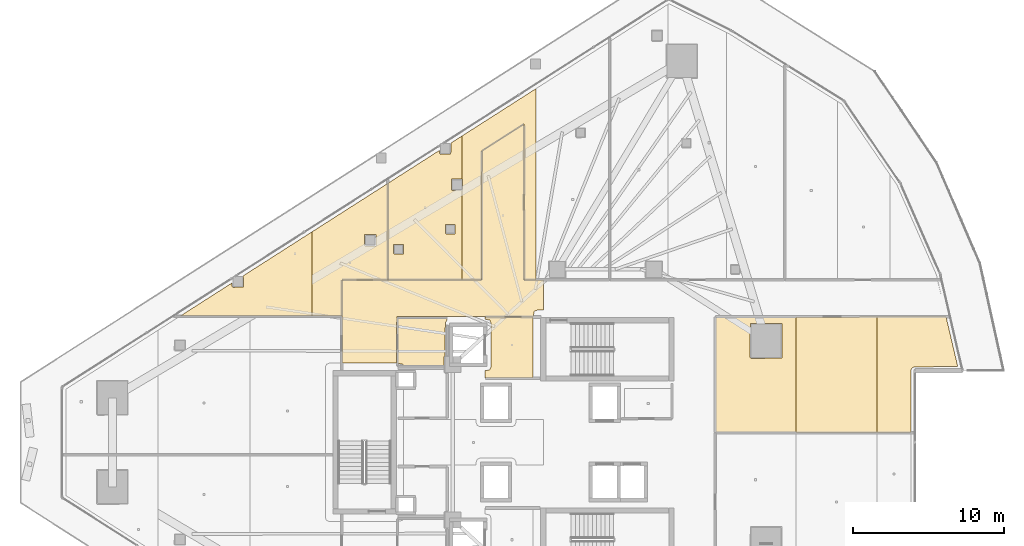
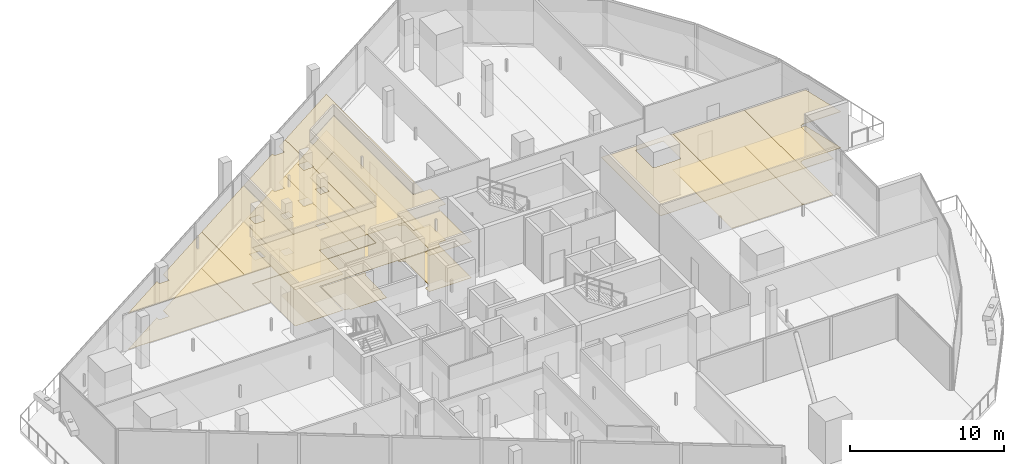
# One storey, part 36 of 38: 18 coverings.
"""IFC4 building model written with IfcOpenShell, lengths in metres."""

from ifc_helpers import new_model, si_unit, direction, frame, origin, place, context, subcontext, project, spatial, polyline, outline, extrude, material, layer, layer_set, type_object, element, save


model = new_model("IFC4")

# Units and contexts
model_context = context("Model", 3, precision=1e-05, world=origin(), true_north=direction((0.0, 1.0)))
body_context = subcontext(model_context, "Body", "Model", "MODEL_VIEW")
ifc_project = project(units=[si_unit("LENGTHUNIT", "METRE"), si_unit("AREAUNIT", "SQUARE_METRE"), si_unit("VOLUMEUNIT", "CUBIC_METRE"), si_unit("PLANEANGLEUNIT", "RADIAN"), si_unit("MASSUNIT", "GRAM", prefix="KILO")], contexts=[model_context])

# Site, building, storey
site_placement = place(None, origin())
site = spatial("IfcSite", under=ifc_project, at=site_placement, CompositionType="ELEMENT")
building_placement = place(site_placement, origin())
building = spatial("IfcBuilding", under=site, at=building_placement, Name="Qorvath Tower", CompositionType="ELEMENT")
storey_placement = place(building_placement, frame((0.0, 0.0, 158.39990234375)))
storey = spatial("IfcBuildingStorey", under=building, at=storey_placement, Name="L36", CompositionType="ELEMENT", Elevation=158.39990234375)

# Coverings
ifc_material_1 = material(Name="Acoustic mineral fibre ceiling tile", Category="gypsum")
ifc_layer_1 = layer(ifc_material_1, 0.030029296875)
ifc_layer_set_1 = layer_set([ifc_layer_1], Name="COV-CEIL")
covering_type_1 = type_object("IfcCoveringType", Name="COV-CEIL", PredefinedType="CEILING", material=ifc_layer_set_1)
covering_1_placement = place(storey_placement, frame((0.0, 0.0, 2.85009765625)))
element("IfcCovering", 1, at=covering_1_placement, inside=storey, type_object=covering_type_1, Name="L36 Suspended Acoustic Ceiling 001", PredefinedType="CEILING", context=body_context, shape_type="SweptSolid", body=[
    extrude(outline(polyline([(-25.18994140625, 4.2548828125), (-25.18994140625, 8.294921875), (-28.375, 8.294921875), (-28.375, 8.159912109375), (-28.063232421875, 8.086669921875), (-27.989990234375, 7.909912109375), (-27.989990234375, 4.989990234375), (-28.063232421875, 4.813232421875), (-28.375, 4.739990234375), (-28.375, 4.2548828125), (-25.18994140625, 4.2548828125)])), origin(), (0.0, 0.0, 1.0), 0.030029296875),
])
covering_2_placement = place(storey_placement, frame((0.0, 0.0, 2.85009765625)))
element("IfcCovering", 2, at=covering_2_placement, inside=storey, type_object=covering_type_1, Name="L36 Suspended Acoustic Ceiling 008", PredefinedType="CEILING", context=body_context, shape_type="SweptSolid", body=[
    extrude(outline(polyline([(-24.521484375, 8.75), (-24.521484375, 10.7451171875), (-25.800048828125, 10.7451171875), (-25.804931640625, 21.067626953125), (-28.594970703125, 19.284423828125), (-28.596435546875, 10.74658203125), (-37.844970703125, 10.7451171875), (-37.844970703125, 5.239990234375), (-34.2509765625, 5.239990234375), (-34.219970703125, 8.324951171875), (-25.18994140625, 8.324951171875), (-25.11669921875, 8.6767578125), (-24.93994140625, 8.75), (-24.521484375, 8.75)])), origin(), (0.0, 0.0, 1.0), 0.030029296875),
])
covering_3_placement = place(storey_placement, frame((0.0, 0.0, 2.85009765625)))
element("IfcCovering", 3, at=covering_3_placement, inside=storey, type_object=covering_type_1, Name="L36 Suspended Acoustic Ceiling 011", PredefinedType="CEILING", context=body_context, shape_type="SweptSolid", body=[
    extrude(outline(polyline([(-39.827880859375, 8.35498046875), (-39.827880859375, 13.944580078125), (-44.390380859375, 11.028564453125), (-44.368896484375, 10.284912109375), (-45.061279296875, 10.267333984375), (-45.121337890625, 10.327392578125), (-45.121337890625, 10.5615234375), (-48.57373046875, 8.35498046875), (-39.827880859375, 8.35498046875)])), origin(), (0.0, 0.0, 1.0), 0.030029296875),
])
covering_4_placement = place(storey_placement, frame((0.0, 0.0, 2.85009765625)))
element("IfcCovering", 4, at=covering_4_placement, inside=storey, type_object=covering_type_1, Name="L36 Suspended Acoustic Ceiling 012", PredefinedType="CEILING", context=body_context, shape_type="SweptSolid", body=[
    extrude(outline(polyline([(-34.814208984375, 10.762939453125), (-34.814208984375, 17.14892578125), (-39.827880859375, 13.944580078125), (-39.827880859375, 8.35498046875), (-37.863037109375, 8.35498046875), (-37.861572265625, 10.761474609375), (-34.814208984375, 10.762939453125)]), holes=[polyline([(-36.36572265625, 13.055908203125), (-36.34814453125, 13.748291015625), (-35.61328125, 13.748291015625), (-35.61328125, 13.013427734375), (-36.3056640625, 12.995849609375), (-36.36572265625, 13.055908203125)])]), origin(), (0.0, 0.0, 1.0), 0.030029296875),
])
covering_5_placement = place(storey_placement, frame((0.0, 0.0, 2.85009765625)))
element("IfcCovering", 5, at=covering_5_placement, inside=storey, type_object=covering_type_1, Name="L36 Suspended Acoustic Ceiling 013", PredefinedType="CEILING", context=body_context, shape_type="SweptSolid", body=[
    extrude(outline(polyline([(-29.905517578125, 10.762939453125), (-29.905517578125, 16.69091796875), (-30.5498046875, 16.674560546875), (-30.60986328125, 16.734619140625), (-30.59228515625, 17.427001953125), (-29.905517578125, 17.427001953125), (-29.905517578125, 20.286376953125), (-30.643310546875, 19.81494140625), (-30.648681640625, 19.093017578125), (-31.341064453125, 19.075439453125), (-31.401123046875, 19.135498046875), (-31.401123046875, 19.33056640625), (-34.79638671875, 17.16064453125), (-34.79638671875, 10.762939453125), (-29.905517578125, 10.762939453125)]), holes=[polyline([(-31.01220703125, 13.849365234375), (-30.99462890625, 14.441650390625), (-30.35986328125, 14.441650390625), (-30.35986328125, 13.806884765625), (-30.9521484375, 13.789306640625), (-31.01220703125, 13.849365234375)]), polyline([(-34.439208984375, 12.517578125), (-34.421630859375, 13.10986328125), (-33.786865234375, 13.10986328125), (-33.786865234375, 12.47509765625), (-34.379150390625, 12.45751953125), (-34.439208984375, 12.517578125)])]), origin(), (0.0, 0.0, 1.0), 0.030029296875),
])
covering_6_placement = place(storey_placement, frame((0.0, 0.0, 2.85009765625)))
element("IfcCovering", 6, at=covering_6_placement, inside=storey, type_object=covering_type_1, Name="L36 Suspended Acoustic Ceiling 014", PredefinedType="CEILING", context=body_context, shape_type="SweptSolid", body=[
    extrude(outline(polyline([(-25.0146484375, 10.762939453125), (-25.0146484375, 23.412353515625), (-29.905517578125, 20.286376953125), (-29.905517578125, 17.427001953125), (-29.857421875, 17.427001953125), (-29.857421875, 16.692138671875), (-29.905517578125, 16.69091796875), (-29.905517578125, 10.762939453125), (-28.613037109375, 10.762939453125), (-28.613037109375, 19.29150390625), (-25.791259765625, 21.096435546875), (-25.787109375, 10.762939453125), (-25.0146484375, 10.762939453125)])), origin(), (0.0, 0.0, 1.0), 0.030029296875),
])
covering_7_placement = place(storey_placement, frame((0.0, 0.0, 2.85009765625)))
element("IfcCovering", 7, at=covering_7_placement, inside=storey, type_object=covering_type_1, Name="L36 Suspended Acoustic Ceiling 032", PredefinedType="CEILING", context=body_context, shape_type="SweptSolid", body=[
    extrude(outline(polyline([(-7.782958984375, 0.64208984375), (-7.782958984375, 8.312744140625), (-13.136962890625, 8.306884765625), (-13.136962890625, 0.64208984375), (-7.782958984375, 0.64208984375)]), holes=[polyline([(-10.830322265625, 5.621337890625), (-10.812744140625, 7.86376953125), (-8.727783203125, 7.86376953125), (-8.727783203125, 5.578857421875), (-10.770263671875, 5.561279296875), (-10.830322265625, 5.621337890625)])]), origin(), (0.0, 0.0, 1.0), 0.030029296875),
])
covering_8_placement = place(storey_placement, frame((0.0, 0.0, 2.85009765625)))
element("IfcCovering", 8, at=covering_8_placement, inside=storey, type_object=covering_type_1, Name="L36 Suspended Acoustic Ceiling 033", PredefinedType="CEILING", context=body_context, shape_type="SweptSolid", body=[
    extrude(outline(polyline([(-2.428955078125, 0.64208984375), (-2.428955078125, 8.318359375), (-7.782958984375, 8.312744140625), (-7.782958984375, 0.64208984375), (-2.428955078125, 0.64208984375)])), origin(), (0.0, 0.0, 1.0), 0.030029296875),
])
covering_9_placement = place(storey_placement, frame((0.0, 0.0, 2.85009765625)))
element("IfcCovering", 9, at=covering_9_placement, inside=storey, type_object=covering_type_1, Name="L36 Suspended Acoustic Ceiling 034", PredefinedType="CEILING", context=body_context, shape_type="SweptSolid", body=[
    extrude(outline(polyline([(-0.11767578125, 4.9150390625), (0.053466796875, 5.005859375), (2.925048828125, 5.007080078125), (2.148681640625, 8.3232421875), (-2.428955078125, 8.318359375), (-2.428955078125, 0.64208984375), (-0.177001953125, 0.64208984375), (-0.17578125, 4.776611328125), (-0.11767578125, 4.9150390625)])), origin(), (0.0, 0.0, 1.0), 0.030029296875),
])
ifc_material_2 = material(Name="Low-VOC modular carpet tile", Category="textile")
ifc_layer_2 = layer(ifc_material_2, 0.014892578125)
ifc_layer_set_2 = layer_set([ifc_layer_2], Name="COV-FLOOR-CPT")
covering_type_2 = type_object("IfcCoveringType", Name="COV-FLOOR-CPT", PredefinedType="FLOORING", material=ifc_layer_set_2)
covering_10_placement = place(storey_placement, origin())
element("IfcCovering", 10, at=covering_10_placement, inside=storey, type_object=covering_type_2, Name="L36 Floor Finish 011", PredefinedType="FLOORING", context=body_context, shape_type="SweptSolid", body=[
    extrude(outline(polyline([(-39.827880859375, 8.35498046875), (-39.827880859375, 13.944580078125), (-44.390380859375, 11.028564453125), (-44.368896484375, 10.284912109375), (-45.061279296875, 10.267333984375), (-45.121337890625, 10.327392578125), (-45.121337890625, 10.5615234375), (-48.57373046875, 8.35498046875), (-39.827880859375, 8.35498046875)])), origin(), (0.0, 0.0, 1.0), 0.01513671875),
])
covering_11_placement = place(storey_placement, origin())
element("IfcCovering", 11, at=covering_11_placement, inside=storey, type_object=covering_type_2, Name="L36 Floor Finish 012", PredefinedType="FLOORING", context=body_context, shape_type="SweptSolid", body=[
    extrude(outline(polyline([(-34.814208984375, 10.762939453125), (-34.814208984375, 17.14892578125), (-39.827880859375, 13.944580078125), (-39.827880859375, 8.35498046875), (-37.863037109375, 8.35498046875), (-37.861572265625, 10.761474609375), (-34.814208984375, 10.762939453125)]), holes=[polyline([(-36.36572265625, 13.055908203125), (-36.34814453125, 13.748291015625), (-35.61328125, 13.748291015625), (-35.61328125, 13.013427734375), (-36.3056640625, 12.995849609375), (-36.36572265625, 13.055908203125)])]), origin(), (0.0, 0.0, 1.0), 0.01513671875),
])
covering_12_placement = place(storey_placement, origin())
element("IfcCovering", 12, at=covering_12_placement, inside=storey, type_object=covering_type_2, Name="L36 Floor Finish 013", PredefinedType="FLOORING", context=body_context, shape_type="SweptSolid", body=[
    extrude(outline(polyline([(-29.905517578125, 10.762939453125), (-29.905517578125, 16.69091796875), (-30.5498046875, 16.674560546875), (-30.60986328125, 16.734619140625), (-30.59228515625, 17.427001953125), (-29.905517578125, 17.427001953125), (-29.905517578125, 20.286376953125), (-30.643310546875, 19.81494140625), (-30.648681640625, 19.093017578125), (-31.341064453125, 19.075439453125), (-31.401123046875, 19.135498046875), (-31.401123046875, 19.33056640625), (-34.79638671875, 17.16064453125), (-34.79638671875, 10.762939453125), (-29.905517578125, 10.762939453125)]), holes=[polyline([(-31.01220703125, 13.849365234375), (-30.99462890625, 14.441650390625), (-30.35986328125, 14.441650390625), (-30.35986328125, 13.806884765625), (-30.9521484375, 13.789306640625), (-31.01220703125, 13.849365234375)]), polyline([(-34.439208984375, 12.517578125), (-34.421630859375, 13.10986328125), (-33.786865234375, 13.10986328125), (-33.786865234375, 12.47509765625), (-34.379150390625, 12.45751953125), (-34.439208984375, 12.517578125)])]), origin(), (0.0, 0.0, 1.0), 0.01513671875),
])
covering_13_placement = place(storey_placement, origin())
element("IfcCovering", 13, at=covering_13_placement, inside=storey, type_object=covering_type_2, Name="L36 Floor Finish 014", PredefinedType="FLOORING", context=body_context, shape_type="SweptSolid", body=[
    extrude(outline(polyline([(-25.0146484375, 10.762939453125), (-25.0146484375, 23.412353515625), (-29.905517578125, 20.286376953125), (-29.905517578125, 17.427001953125), (-29.857421875, 17.427001953125), (-29.857421875, 16.692138671875), (-29.905517578125, 16.69091796875), (-29.905517578125, 10.762939453125), (-28.613037109375, 10.762939453125), (-28.613037109375, 19.29150390625), (-25.791259765625, 21.096435546875), (-25.787109375, 10.762939453125), (-25.0146484375, 10.762939453125)])), origin(), (0.0, 0.0, 1.0), 0.01513671875),
])
covering_14_placement = place(storey_placement, origin())
element("IfcCovering", 14, at=covering_14_placement, inside=storey, type_object=covering_type_2, Name="L36 Floor Finish 033", PredefinedType="FLOORING", context=body_context, shape_type="SweptSolid", body=[
    extrude(outline(polyline([(-2.428955078125, 0.64208984375), (-2.428955078125, 8.318359375), (-7.782958984375, 8.312744140625), (-7.782958984375, 0.64208984375), (-2.428955078125, 0.64208984375)])), origin(), (0.0, 0.0, 1.0), 0.01513671875),
])
covering_15_placement = place(storey_placement, origin())
element("IfcCovering", 15, at=covering_15_placement, inside=storey, type_object=covering_type_2, Name="L36 Floor Finish 034", PredefinedType="FLOORING", context=body_context, shape_type="SweptSolid", body=[
    extrude(outline(polyline([(-0.11767578125, 4.9150390625), (0.053466796875, 5.005859375), (2.925048828125, 5.007080078125), (2.148681640625, 8.3232421875), (-2.428955078125, 8.318359375), (-2.428955078125, 0.64208984375), (-0.177001953125, 0.64208984375), (-0.17578125, 4.776611328125), (-0.11767578125, 4.9150390625)])), origin(), (0.0, 0.0, 1.0), 0.01513671875),
])
ifc_material_3 = material(Name="Polished epoxy terrazzo flooring", Category="concrete")
ifc_layer_3 = layer(ifc_material_3, 0.02001953125)
ifc_layer_set_3 = layer_set([ifc_layer_3], Name="COV-FLOOR-TRZ")
covering_type_3 = type_object("IfcCoveringType", Name="COV-FLOOR-TRZ", PredefinedType="FLOORING", material=ifc_layer_set_3)
covering_16_placement = place(storey_placement, origin())
element("IfcCovering", 16, at=covering_16_placement, inside=storey, type_object=covering_type_3, Name="L36 Floor Finish 001", PredefinedType="FLOORING", context=body_context, shape_type="SweptSolid", body=[
    extrude(outline(polyline([(-25.18994140625, 4.2548828125), (-25.18994140625, 8.294921875), (-28.375, 8.294921875), (-28.375, 8.159912109375), (-28.063232421875, 8.086669921875), (-27.989990234375, 7.909912109375), (-27.989990234375, 4.989990234375), (-28.063232421875, 4.813232421875), (-28.375, 4.739990234375), (-28.375, 4.2548828125), (-25.18994140625, 4.2548828125)])), origin(), (0.0, 0.0, 1.0), 0.01513671875),
])
covering_17_placement = place(storey_placement, origin())
element("IfcCovering", 17, at=covering_17_placement, inside=storey, type_object=covering_type_3, Name="L36 Floor Finish 004", PredefinedType="FLOORING", context=body_context, shape_type="SweptSolid", body=[
    extrude(outline(polyline([(-31.010009765625, 7.909912109375), (-30.885009765625, 8.108154296875), (-30.885009765625, 8.2451171875), (-34.175048828125, 8.2451171875), (-34.175048828125, 5.239990234375), (-33.833251953125, 5.166748046875), (-33.786865234375, 5.054931640625), (-31.0849609375, 5.054931640625), (-31.0849609375, 5.675048828125), (-31.02490234375, 5.735107421875), (-31.010009765625, 7.909912109375)])), origin(), (0.0, 0.0, 1.0), 0.01513671875),
])
covering_18_placement = place(storey_placement, origin())
element("IfcCovering", 18, at=covering_18_placement, inside=storey, type_object=covering_type_3, Name="L36 Floor Finish 008", PredefinedType="FLOORING", context=body_context, shape_type="SweptSolid", body=[
    extrude(outline(polyline([(-24.521484375, 8.75), (-24.521484375, 10.7451171875), (-25.800048828125, 10.7451171875), (-25.804931640625, 21.067626953125), (-28.594970703125, 19.284423828125), (-28.596435546875, 10.74658203125), (-37.844970703125, 10.7451171875), (-37.844970703125, 5.239990234375), (-34.2509765625, 5.239990234375), (-34.219970703125, 8.324951171875), (-25.18994140625, 8.324951171875), (-25.11669921875, 8.6767578125), (-24.93994140625, 8.75), (-24.521484375, 8.75)])), origin(), (0.0, 0.0, 1.0), 0.01513671875),
])

save(model, "model.ifc")
